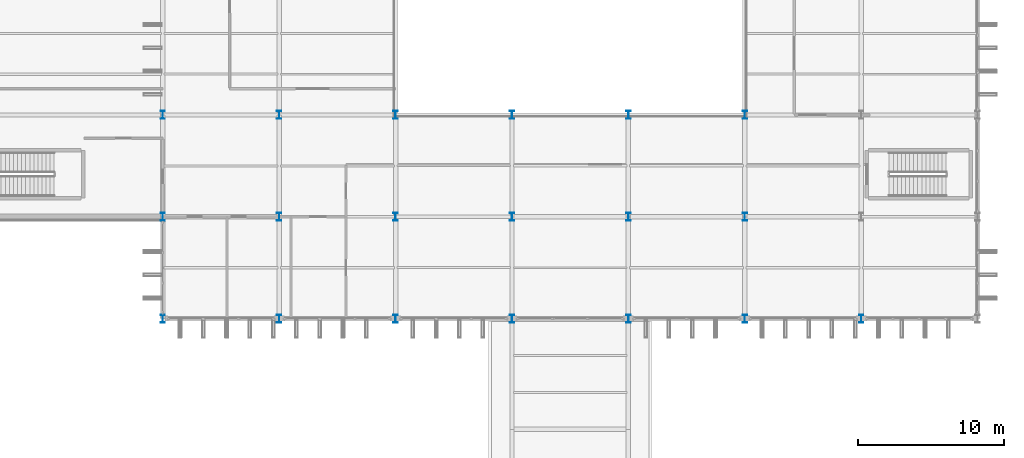
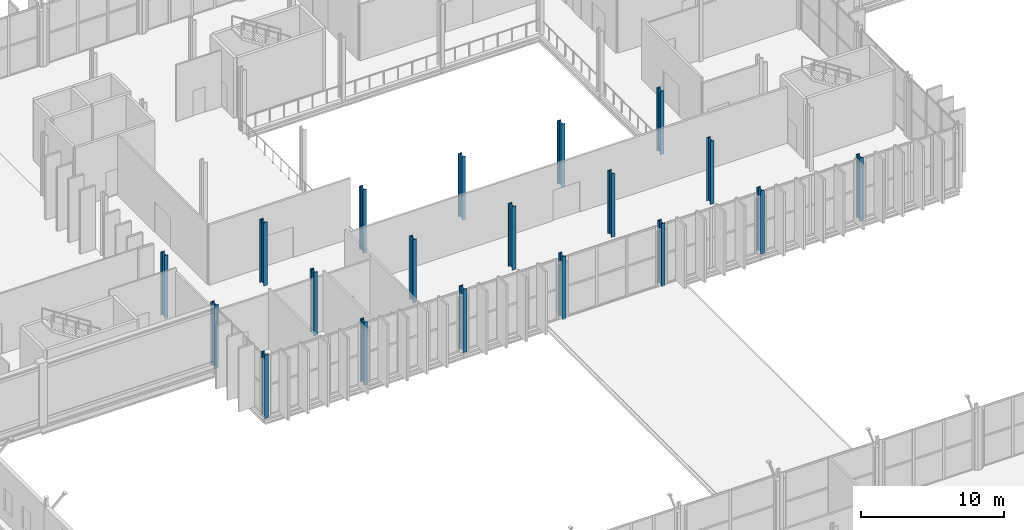
# One storey, part 6 of 147: 19 columns.
"""IFC4 building model written with IfcOpenShell, lengths in metres."""

from ifc_helpers import new_model, si_unit, direction, frame, origin, origin_2d, place, context, subcontext, project, spatial, i_section, extrude, material, material_profile, profile_set, type_object, element, save


model = new_model("IFC4")

# Units and contexts
model_context = context("Model", 3, precision=1e-05, world=origin(), true_north=direction((0.0, 1.0)))
body_context = subcontext(model_context, "Body", "Model", "MODEL_VIEW")
ifc_project = project(units=[si_unit("LENGTHUNIT", "METRE"), si_unit("AREAUNIT", "SQUARE_METRE"), si_unit("VOLUMEUNIT", "CUBIC_METRE"), si_unit("PLANEANGLEUNIT", "RADIAN"), si_unit("MASSUNIT", "GRAM", prefix="KILO")], contexts=[model_context])

# Site, building, storey
site_placement = place(None, origin())
site = spatial("IfcSite", under=ifc_project, at=site_placement, CompositionType="ELEMENT")
building_placement = place(site_placement, origin())
building = spatial("IfcBuilding", under=site, at=building_placement, Name="Vekula Escarpment Museum", CompositionType="ELEMENT")
storey_placement = place(building_placement, frame((0.0, 0.0, 7.800048828125)))
storey = spatial("IfcBuildingStorey", under=building, at=storey_placement, Name="L02", CompositionType="ELEMENT", Elevation=7.800048828125)

# Columns
ifc_material = material(Name="Steel S355", Category="steel")
ifc_material_profile = material_profile(ifc_material, i_section(OverallWidth=0.300048828125, OverallDepth=0.550048828125, WebThickness=0.014892578125, FlangeThickness=0.029052734375, FilletRadius=0.027099609375, at=origin_2d()), Name="HEB 550")
ifc_profile_set = profile_set([ifc_material_profile], Name="Steel S355")
column_type = type_object("IfcColumnType", Name="COL-S-HEB550", PredefinedType="COLUMN", material=ifc_profile_set)
for number, where, z_axis, x_axis, name in (
    (1, (70.0, 45.60009765625, 0.0), (0.0, 0.0, 1.0), (1.0, 0.0, 0.0), "Column L02 (70.0,45.6)"),
    (2, (70.0, 52.60009765625, 0.0), (0.0, 0.0, 1.0), (1.0, 0.0, 0.0), "Column L02 (70.0,52.6)"),
    (3, (70.0, 59.60009765625, 0.0), (0.0, 0.0, 1.0), (1.0, 0.0, 0.0), "Column L02 (70.0,59.6)"),
    (4, (78.0, 45.60009765625, 0.0), (0.0, 0.0, 1.0), (1.0, 0.0, 0.0), "Column L02 (78.0,45.6)"),
    (5, (78.0, 52.60009765625, 0.0), (0.0, 0.0, 1.0), (1.0, 0.0, 0.0), "Column L02 (78.0,52.6)"),
    (6, (78.0, 59.60009765625, 0.0), (0.0, 0.0, 1.0), (1.0, 0.0, 0.0), "Column L02 (78.0,59.6)"),
    (7, (86.0, 45.60009765625, 0.0), (0.0, 0.0, 1.0), (1.0, 0.0, 0.0), "Column L02 (86.0,45.6)"),
    (8, (86.0, 52.60009765625, 0.0), (0.0, 0.0, 1.0), (1.0, 0.0, 0.0), "Column L02 (86.0,52.6)"),
    (9, (86.0, 59.60009765625, 0.0), (0.0, 0.0, 1.0), (1.0, 0.0, 0.0), "Column L02 (86.0,59.6)"),
    (10, (94.0, 45.60009765625, 0.0), (0.0, 0.0, 1.0), (1.0, 0.0, 0.0), "Column L02 (94.0,45.6)"),
    (11, (94.0, 52.60009765625, 0.0), (0.0, 0.0, 1.0), (1.0, 0.0, 0.0), "Column L02 (94.0,52.6)"),
    (12, (94.0, 59.60009765625, 0.0), (0.0, 0.0, 1.0), (1.0, 0.0, 0.0), "Column L02 (94.0,59.6)"),
    (13, (102.0, 45.60009765625, 0.0), (0.0, 0.0, 1.0), (1.0, 0.0, 0.0), "Column L02 (102.0,45.6)"),
    (14, (102.0, 52.60009765625, 0.0), (0.0, 0.0, 1.0), (1.0, 0.0, 0.0), "Column L02 (102.0,52.6)"),
    (15, (102.0, 59.60009765625, 0.0), (0.0, 0.0, 1.0), (1.0, 0.0, 0.0), "Column L02 (102.0,59.6)"),
    (16, (110.0, 45.60009765625, 0.0), (0.0, 0.0, 1.0), (1.0, 0.0, 0.0), "Column L02 (110.0,45.6)"),
    (17, (110.0, 52.60009765625, 0.0), (0.0, 0.0, 1.0), (1.0, 0.0, 0.0), "Column L02 (110.0,52.6)"),
    (18, (110.0, 59.60009765625, 0.0), (0.0, 0.0, 1.0), (1.0, 0.0, 0.0), "Column L02 (110.0,59.6)"),
    (19, (118.0, 45.60009765625, 0.0), (0.0, 0.0, 1.0), (1.0, 0.0, 0.0), "Column L02 (118.0,45.6)"),
):
    element("IfcColumn", number, at=place(storey_placement, frame(where, z_axis=z_axis, x_axis=x_axis)), inside=storey, type_object=column_type, Name=name, PredefinedType="COLUMN", context=body_context, shape_type="SweptSolid", body=[
        extrude(i_section(OverallWidth=0.300048828125, OverallDepth=0.550048828125, WebThickness=0.014892578125, FlangeThickness=0.029052734375, FilletRadius=0.027099609375, at=origin_2d()), origin(), (0.0, 0.0, 1.0), 5.39990234375),
    ])

save(model, "model.ifc")
